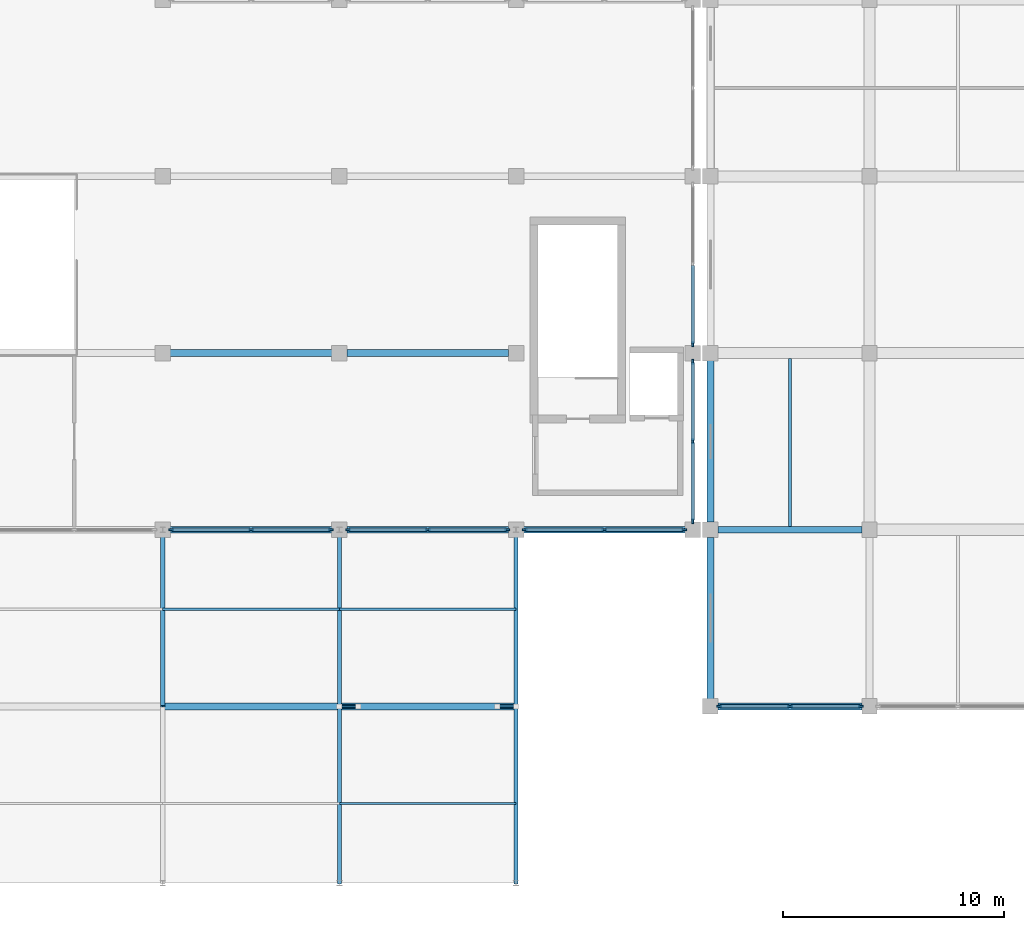
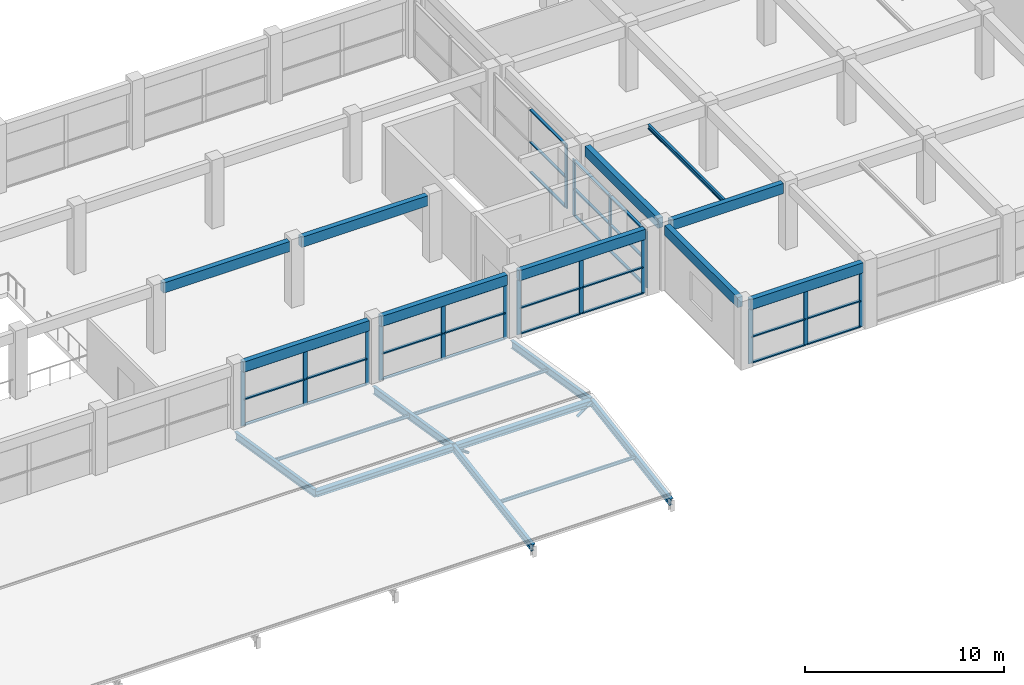
# One storey, part 12 of 67: 56 members, 15 beams, 6 elements without a shape of their own.
"""IFC4 building model written with IfcOpenShell, lengths in metres."""

from ifc_helpers import new_model, si_unit, direction, frame, origin, origin_2d, place, context, subcontext, project, spatial, rectangle, hollow_circle, i_section, extrude, material, material_profile, profile_set, type_object, element, aggregate, save


model = new_model("IFC4")

# Units and contexts
model_context = context("Model", 3, precision=1e-05, world=origin(), true_north=direction((0.0, 1.0)))
body_context = subcontext(model_context, "Body", "Model", "MODEL_VIEW")
ifc_project = project(units=[si_unit("LENGTHUNIT", "METRE"), si_unit("AREAUNIT", "SQUARE_METRE"), si_unit("VOLUMEUNIT", "CUBIC_METRE"), si_unit("PLANEANGLEUNIT", "RADIAN"), si_unit("MASSUNIT", "GRAM", prefix="KILO")], contexts=[model_context])

# Site, building, storey
site_placement = place(None, origin())
site = spatial("IfcSite", under=ifc_project, at=site_placement, CompositionType="ELEMENT")
building_placement = place(site_placement, origin())
building = spatial("IfcBuilding", under=site, at=building_placement, Name="Kenh Van Central Station", CompositionType="ELEMENT")
storey_placement = place(building_placement, frame((0.0, 0.0, 10.800048828125)))
storey = spatial("IfcBuildingStorey", under=building, at=storey_placement, Name="L02", CompositionType="ELEMENT", Elevation=10.800048828125)

# Beams
ifc_material_1 = material(Name="Steel S355", Category="steel")
ifc_material_profile_1 = material_profile(ifc_material_1, i_section(OverallWidth=0.18994140625, OverallDepth=0.449951171875, WebThickness=0.009521484375, FlangeThickness=0.0146484375, FilletRadius=0.02099609375, at=origin_2d()), Name="IPE 450")
ifc_profile_set_1 = profile_set([ifc_material_profile_1], Name="Steel S355")
beam_type_1 = type_object("IfcBeamType", Name="BM-STL-IPE450", PredefinedType="BEAM", material=ifc_profile_set_1)
for number, where, z_axis, x_axis, name in (
    (1, (96.0, 8.0, 0.854736328125), (0.0, 0.987051780814, -0.160401938868), (-1.0, 0.0, 0.0), "L02 roof rafter 019"),
    (2, (104.0, 0.0, -0.4453125), (0.0, 0.987051780814, 0.160401938868), (-1.0, 0.0, 0.0), "L02 roof rafter 020"),
    (3, (104.0, 8.0, 0.854736328125), (0.0, 0.987051780814, -0.160401938868), (-1.0, 0.0, 0.0), "L02 roof rafter 021"),
    (4, (112.0, 0.0, -0.4453125), (0.0, 0.987051780814, 0.160401938868), (-1.0, 0.0, 0.0), "L02 roof rafter 022"),
    (5, (112.0, 8.0, 0.854736328125), (0.0, 0.987051780814, -0.160401938868), (-1.0, 0.0, 0.0), "L02 roof rafter 023"),
):
    element("IfcBeam", number, at=place(storey_placement, frame(where, z_axis=z_axis, x_axis=x_axis)), inside=storey, type_object=beam_type_1, Name=name, PredefinedType="BEAM", context=body_context, shape_type="SweptSolid", body=[
        extrude(i_section(OverallWidth=0.18994140625, OverallDepth=0.449951171875, WebThickness=0.009521484375, FlangeThickness=0.0146484375, FilletRadius=0.02099609375, at=origin_2d()), origin(), (0.0, 0.0, 1.0), 8.10498046875),
    ])

# Curtain wall, members
ifc_material_2 = material(Name="Champagne anodised aluminium", Category="aluminium")
curtain_wall_type_1 = type_object("IfcCurtainWallType", Name="CW-OPER-A", PredefinedType="NOTDEFINED", material=ifc_material_2)
curtain_wall_1_placement = place(storey_placement, origin())
curtain_wall_1 = element("IfcCurtainWall", 6, at=curtain_wall_1_placement, inside=storey, type_object=curtain_wall_type_1, Name="L02 curtain wall 182", PredefinedType="NOTDEFINED")
ifc_material_profile_2 = material_profile(ifc_material_2, rectangle(XDim=0.087890625, YDim=0.239990234375, at=origin_2d()), Name="AL 88x240")
ifc_profile_set_2 = profile_set([ifc_material_profile_2], Name="Champagne anodised aluminium")
member_type_1 = type_object("IfcMemberType", Name="CWM-60x140", PredefinedType="MULLION", material=ifc_profile_set_2)
member_1_placement = place(storey_placement, frame((121.194091796875, 8.0, 0.0), z_axis=(0.0, 0.0, 1.0), x_axis=(0.0, 1.0, 0.0)))
member_1 = element("IfcMember", 7, at=member_1_placement, type_object=member_type_1, Name="CW-07 mullion 1", PredefinedType="MULLION", context=body_context, shape_type="SweptSolid", body=[
    extrude(rectangle(XDim=0.087890625, YDim=0.239990234375, at=origin_2d()), origin(), (0.0, 0.0, 1.0), 3.35986328125),
])
member_2_placement = place(storey_placement, frame((124.39990234375, 8.0, 0.0), z_axis=(0.0, 0.0, 1.0), x_axis=(0.0, 1.0, 0.0)))
member_2 = element("IfcMember", 8, at=member_2_placement, type_object=member_type_1, Name="CW-07 mullion 2", PredefinedType="MULLION", context=body_context, shape_type="SweptSolid", body=[
    extrude(rectangle(XDim=0.087890625, YDim=0.239990234375, at=origin_2d()), origin(), (0.0, 0.0, 1.0), 3.35986328125),
])
member_3_placement = place(storey_placement, frame((127.60595703125, 8.0, 0.0), z_axis=(0.0, 0.0, 1.0), x_axis=(0.0, 1.0, 0.0)))
member_3 = element("IfcMember", 9, at=member_3_placement, type_object=member_type_1, Name="CW-07 mullion 3", PredefinedType="MULLION", context=body_context, shape_type="SweptSolid", body=[
    extrude(rectangle(XDim=0.087890625, YDim=0.239990234375, at=origin_2d()), origin(), (0.0, 0.0, 1.0), 3.35986328125),
])

curtain_wall_type_2 = type_object("IfcCurtainWallType", Name="CW-CONC-A", PredefinedType="NOTDEFINED", material=ifc_material_2)
curtain_wall_2_placement = place(storey_placement, origin())
curtain_wall_2 = element("IfcCurtainWall", 10, at=curtain_wall_2_placement, inside=storey, type_object=curtain_wall_type_2, Name="L02 curtain wall 165", PredefinedType="NOTDEFINED")
ifc_material_profile_3 = material_profile(ifc_material_2, rectangle(XDim=0.08203125, YDim=0.22509765625, at=origin_2d()), Name="AL 82x225")
ifc_profile_set_3 = profile_set([ifc_material_profile_3], Name="Champagne anodised aluminium")
member_type_2 = type_object("IfcMemberType", Name="CWM-70x180", PredefinedType="MULLION", material=ifc_profile_set_3)
member_4_placement = place(storey_placement, frame((96.39111328125, 16.0, 0.0), z_axis=(0.0, 0.0, 1.0), x_axis=(0.0, 1.0, 0.0)))
member_4 = element("IfcMember", 11, at=member_4_placement, type_object=member_type_2, Name="CW-03 mullion 1", PredefinedType="MULLION", context=body_context, shape_type="SweptSolid", body=[
    extrude(rectangle(XDim=0.08203125, YDim=0.22509765625, at=origin_2d()), origin(), (0.0, 0.0, 1.0), 3.35986328125),
])
member_5_placement = place(storey_placement, frame((100.0, 16.0, 0.0), z_axis=(0.0, 0.0, 1.0), x_axis=(0.0, 1.0, 0.0)))
member_5 = element("IfcMember", 12, at=member_5_placement, type_object=member_type_2, Name="CW-03 mullion 2", PredefinedType="MULLION", context=body_context, shape_type="SweptSolid", body=[
    extrude(rectangle(XDim=0.08203125, YDim=0.22509765625, at=origin_2d()), origin(), (0.0, 0.0, 1.0), 3.35986328125),
])
member_6_placement = place(storey_placement, frame((103.60888671875, 16.0, 0.0), z_axis=(0.0, 0.0, 1.0), x_axis=(0.0, 1.0, 0.0)))
member_6 = element("IfcMember", 13, at=member_6_placement, type_object=member_type_2, Name="CW-03 mullion 3", PredefinedType="MULLION", context=body_context, shape_type="SweptSolid", body=[
    extrude(rectangle(XDim=0.08203125, YDim=0.22509765625, at=origin_2d()), origin(), (0.0, 0.0, 1.0), 3.35986328125),
])

curtain_wall_3_placement = place(storey_placement, origin())
curtain_wall_3 = element("IfcCurtainWall", 14, at=curtain_wall_3_placement, inside=storey, type_object=curtain_wall_type_2, Name="L02 curtain wall 166", PredefinedType="NOTDEFINED")
member_7_placement = place(storey_placement, frame((104.39111328125, 16.0, 0.0), z_axis=(0.0, 0.0, 1.0), x_axis=(0.0, 1.0, 0.0)))
member_7 = element("IfcMember", 15, at=member_7_placement, type_object=member_type_2, Name="CW-03 mullion 1", PredefinedType="MULLION", context=body_context, shape_type="SweptSolid", body=[
    extrude(rectangle(XDim=0.08203125, YDim=0.22509765625, at=origin_2d()), origin(), (0.0, 0.0, 1.0), 3.35986328125),
])
member_8_placement = place(storey_placement, frame((108.0, 16.0, 0.0), z_axis=(0.0, 0.0, 1.0), x_axis=(0.0, 1.0, 0.0)))
member_8 = element("IfcMember", 16, at=member_8_placement, type_object=member_type_2, Name="CW-03 mullion 2", PredefinedType="MULLION", context=body_context, shape_type="SweptSolid", body=[
    extrude(rectangle(XDim=0.08203125, YDim=0.22509765625, at=origin_2d()), origin(), (0.0, 0.0, 1.0), 3.35986328125),
])
member_9_placement = place(storey_placement, frame((111.60888671875, 16.0, 0.0), z_axis=(0.0, 0.0, 1.0), x_axis=(0.0, 1.0, 0.0)))
member_9 = element("IfcMember", 17, at=member_9_placement, type_object=member_type_2, Name="CW-03 mullion 3", PredefinedType="MULLION", context=body_context, shape_type="SweptSolid", body=[
    extrude(rectangle(XDim=0.08203125, YDim=0.22509765625, at=origin_2d()), origin(), (0.0, 0.0, 1.0), 3.35986328125),
])

curtain_wall_4_placement = place(storey_placement, origin())
curtain_wall_4 = element("IfcCurtainWall", 18, at=curtain_wall_4_placement, inside=storey, type_object=curtain_wall_type_2, Name="L02 curtain wall 167", PredefinedType="NOTDEFINED")
member_10_placement = place(storey_placement, frame((112.39111328125, 16.0, 0.0), z_axis=(0.0, 0.0, 1.0), x_axis=(0.0, 1.0, 0.0)))
member_10 = element("IfcMember", 19, at=member_10_placement, type_object=member_type_2, Name="CW-03 mullion 1", PredefinedType="MULLION", context=body_context, shape_type="SweptSolid", body=[
    extrude(rectangle(XDim=0.08203125, YDim=0.22509765625, at=origin_2d()), origin(), (0.0, 0.0, 1.0), 3.35986328125),
])
member_11_placement = place(storey_placement, frame((116.0, 16.0, 0.0), z_axis=(0.0, 0.0, 1.0), x_axis=(0.0, 1.0, 0.0)))
member_11 = element("IfcMember", 20, at=member_11_placement, type_object=member_type_2, Name="CW-03 mullion 2", PredefinedType="MULLION", context=body_context, shape_type="SweptSolid", body=[
    extrude(rectangle(XDim=0.08203125, YDim=0.22509765625, at=origin_2d()), origin(), (0.0, 0.0, 1.0), 3.35986328125),
])
member_12_placement = place(storey_placement, frame((119.60888671875, 16.0, 0.0), z_axis=(0.0, 0.0, 1.0), x_axis=(0.0, 1.0, 0.0)))
member_12 = element("IfcMember", 21, at=member_12_placement, type_object=member_type_2, Name="CW-03 mullion 3", PredefinedType="MULLION", context=body_context, shape_type="SweptSolid", body=[
    extrude(rectangle(XDim=0.08203125, YDim=0.22509765625, at=origin_2d()), origin(), (0.0, 0.0, 1.0), 3.35986328125),
])

curtain_wall_type_3 = type_object("IfcCurtainWallType", Name="CW-CONC-B", PredefinedType="NOTDEFINED", material=ifc_material_2)
curtain_wall_5_placement = place(storey_placement, origin())
curtain_wall_5 = element("IfcCurtainWall", 22, at=curtain_wall_5_placement, inside=storey, type_object=curtain_wall_type_3, Name="L02 curtain wall 177", PredefinedType="NOTDEFINED")
member_13_placement = place(storey_placement, frame((120.0, 16.39111328125, 0.0), z_axis=(0.0, 0.0, 1.0), x_axis=(-1.0, 0.0, 0.0)))
member_13 = element("IfcMember", 23, at=member_13_placement, type_object=member_type_2, Name="CW-04 mullion 1", PredefinedType="MULLION", context=body_context, shape_type="SweptSolid", body=[
    extrude(rectangle(XDim=0.08203125, YDim=0.22509765625, at=origin_2d()), origin(), (0.0, 0.0, 1.0), 3.443359375),
])
member_14_placement = place(storey_placement, frame((120.0, 20.0, 0.0), z_axis=(0.0, 0.0, 1.0), x_axis=(-1.0, 0.0, 0.0)))
member_14 = element("IfcMember", 24, at=member_14_placement, type_object=member_type_2, Name="CW-04 mullion 2", PredefinedType="MULLION", context=body_context, shape_type="SweptSolid", body=[
    extrude(rectangle(XDim=0.08203125, YDim=0.22509765625, at=origin_2d()), origin(), (0.0, 0.0, 1.0), 3.443359375),
])
member_15_placement = place(storey_placement, frame((120.0, 23.60888671875, 0.0), z_axis=(0.0, 0.0, 1.0), x_axis=(-1.0, 0.0, 0.0)))
member_15 = element("IfcMember", 25, at=member_15_placement, type_object=member_type_2, Name="CW-04 mullion 3", PredefinedType="MULLION", context=body_context, shape_type="SweptSolid", body=[
    extrude(rectangle(XDim=0.08203125, YDim=0.22509765625, at=origin_2d()), origin(), (0.0, 0.0, 1.0), 3.443359375),
])

# Curtain wall, member
curtain_wall_6_placement = place(storey_placement, origin())
curtain_wall_6 = element("IfcCurtainWall", 26, at=curtain_wall_6_placement, inside=storey, type_object=curtain_wall_type_3, Name="L02 curtain wall 178", PredefinedType="NOTDEFINED")
member_16_placement = place(storey_placement, frame((120.0, 24.39111328125, 0.0), z_axis=(0.0, 0.0, 1.0), x_axis=(-1.0, 0.0, 0.0)))
member_16 = element("IfcMember", 27, at=member_16_placement, type_object=member_type_2, Name="CW-04 mullion 1", PredefinedType="MULLION", context=body_context, shape_type="SweptSolid", body=[
    extrude(rectangle(XDim=0.08203125, YDim=0.22509765625, at=origin_2d()), origin(), (0.0, 0.0, 1.0), 3.8798828125),
])

# Member
ifc_material_profile_4 = material_profile(ifc_material_2, rectangle(XDim=0.155029296875, YDim=0.072021484375, at=origin_2d()), Name="AL 155x72")
ifc_profile_set_4 = profile_set([ifc_material_profile_4], Name="Champagne anodised aluminium")
member_type_3 = type_object("IfcMemberType", Name="CWT-120x60", PredefinedType="USERDEFINED", material=ifc_profile_set_4)
member_17_placement = place(storey_placement, frame((96.431884765625, 16.0, 0.035888671875), z_axis=(1.0, 0.0, 0.0), x_axis=(0.0, 1.0, 0.0)))
member_17 = element("IfcMember", 28, at=member_17_placement, type_object=member_type_3, Name="CW-03 transom 1.1", ObjectType="TRANSOM", PredefinedType="USERDEFINED", context=body_context, shape_type="SweptSolid", body=[
    extrude(rectangle(XDim=0.155029296875, YDim=0.072021484375, at=origin_2d()), origin(), (0.0, 0.0, 1.0), 3.527099609375),
])

member_18_placement = place(storey_placement, frame((96.431884765625, 16.0, 1.61279296875), z_axis=(1.0, 0.0, 0.0), x_axis=(0.0, 1.0, 0.0)))
member_18 = element("IfcMember", 29, at=member_18_placement, type_object=member_type_3, Name="CW-03 transom 1.2", ObjectType="TRANSOM", PredefinedType="USERDEFINED", context=body_context, shape_type="SweptSolid", body=[
    extrude(rectangle(XDim=0.155029296875, YDim=0.072021484375, at=origin_2d()), origin(), (0.0, 0.0, 1.0), 3.527099609375),
])

member_19_placement = place(storey_placement, frame((96.431884765625, 16.0, 3.323974609375), z_axis=(1.0, 0.0, 0.0), x_axis=(0.0, 1.0, 0.0)))
member_19 = element("IfcMember", 30, at=member_19_placement, type_object=member_type_3, Name="CW-03 transom 1.3", ObjectType="TRANSOM", PredefinedType="USERDEFINED", context=body_context, shape_type="SweptSolid", body=[
    extrude(rectangle(XDim=0.155029296875, YDim=0.072021484375, at=origin_2d()), origin(), (0.0, 0.0, 1.0), 3.527099609375),
])

member_20_placement = place(storey_placement, frame((100.041015625, 16.0, 0.035888671875), z_axis=(1.0, 0.0, 0.0), x_axis=(0.0, 1.0, 0.0)))
member_20 = element("IfcMember", 31, at=member_20_placement, type_object=member_type_3, Name="CW-03 transom 2.1", ObjectType="TRANSOM", PredefinedType="USERDEFINED", context=body_context, shape_type="SweptSolid", body=[
    extrude(rectangle(XDim=0.155029296875, YDim=0.072021484375, at=origin_2d()), origin(), (0.0, 0.0, 1.0), 3.527099609375),
])

member_21_placement = place(storey_placement, frame((100.041015625, 16.0, 1.61279296875), z_axis=(1.0, 0.0, 0.0), x_axis=(0.0, 1.0, 0.0)))
member_21 = element("IfcMember", 32, at=member_21_placement, type_object=member_type_3, Name="CW-03 transom 2.2", ObjectType="TRANSOM", PredefinedType="USERDEFINED", context=body_context, shape_type="SweptSolid", body=[
    extrude(rectangle(XDim=0.155029296875, YDim=0.072021484375, at=origin_2d()), origin(), (0.0, 0.0, 1.0), 3.527099609375),
])

member_22_placement = place(storey_placement, frame((100.041015625, 16.0, 3.323974609375), z_axis=(1.0, 0.0, 0.0), x_axis=(0.0, 1.0, 0.0)))
member_22 = element("IfcMember", 33, at=member_22_placement, type_object=member_type_3, Name="CW-03 transom 2.3", ObjectType="TRANSOM", PredefinedType="USERDEFINED", context=body_context, shape_type="SweptSolid", body=[
    extrude(rectangle(XDim=0.155029296875, YDim=0.072021484375, at=origin_2d()), origin(), (0.0, 0.0, 1.0), 3.527099609375),
])

aggregate(curtain_wall_2, [member_4, member_5, member_6, member_17, member_18, member_19, member_20, member_21, member_22])

member_23_placement = place(storey_placement, frame((104.431884765625, 16.0, 0.035888671875), z_axis=(1.0, 0.0, 0.0), x_axis=(0.0, 1.0, 0.0)))
member_23 = element("IfcMember", 34, at=member_23_placement, type_object=member_type_3, Name="CW-03 transom 1.1", ObjectType="TRANSOM", PredefinedType="USERDEFINED", context=body_context, shape_type="SweptSolid", body=[
    extrude(rectangle(XDim=0.155029296875, YDim=0.072021484375, at=origin_2d()), origin(), (0.0, 0.0, 1.0), 3.527099609375),
])

member_24_placement = place(storey_placement, frame((104.431884765625, 16.0, 1.61279296875), z_axis=(1.0, 0.0, 0.0), x_axis=(0.0, 1.0, 0.0)))
member_24 = element("IfcMember", 35, at=member_24_placement, type_object=member_type_3, Name="CW-03 transom 1.2", ObjectType="TRANSOM", PredefinedType="USERDEFINED", context=body_context, shape_type="SweptSolid", body=[
    extrude(rectangle(XDim=0.155029296875, YDim=0.072021484375, at=origin_2d()), origin(), (0.0, 0.0, 1.0), 3.527099609375),
])

member_25_placement = place(storey_placement, frame((104.431884765625, 16.0, 3.323974609375), z_axis=(1.0, 0.0, 0.0), x_axis=(0.0, 1.0, 0.0)))
member_25 = element("IfcMember", 36, at=member_25_placement, type_object=member_type_3, Name="CW-03 transom 1.3", ObjectType="TRANSOM", PredefinedType="USERDEFINED", context=body_context, shape_type="SweptSolid", body=[
    extrude(rectangle(XDim=0.155029296875, YDim=0.072021484375, at=origin_2d()), origin(), (0.0, 0.0, 1.0), 3.527099609375),
])

member_26_placement = place(storey_placement, frame((108.041015625, 16.0, 0.035888671875), z_axis=(1.0, 0.0, 0.0), x_axis=(0.0, 1.0, 0.0)))
member_26 = element("IfcMember", 37, at=member_26_placement, type_object=member_type_3, Name="CW-03 transom 2.1", ObjectType="TRANSOM", PredefinedType="USERDEFINED", context=body_context, shape_type="SweptSolid", body=[
    extrude(rectangle(XDim=0.155029296875, YDim=0.072021484375, at=origin_2d()), origin(), (0.0, 0.0, 1.0), 3.527099609375),
])

member_27_placement = place(storey_placement, frame((108.041015625, 16.0, 1.61279296875), z_axis=(1.0, 0.0, 0.0), x_axis=(0.0, 1.0, 0.0)))
member_27 = element("IfcMember", 38, at=member_27_placement, type_object=member_type_3, Name="CW-03 transom 2.2", ObjectType="TRANSOM", PredefinedType="USERDEFINED", context=body_context, shape_type="SweptSolid", body=[
    extrude(rectangle(XDim=0.155029296875, YDim=0.072021484375, at=origin_2d()), origin(), (0.0, 0.0, 1.0), 3.527099609375),
])

member_28_placement = place(storey_placement, frame((108.041015625, 16.0, 3.323974609375), z_axis=(1.0, 0.0, 0.0), x_axis=(0.0, 1.0, 0.0)))
member_28 = element("IfcMember", 39, at=member_28_placement, type_object=member_type_3, Name="CW-03 transom 2.3", ObjectType="TRANSOM", PredefinedType="USERDEFINED", context=body_context, shape_type="SweptSolid", body=[
    extrude(rectangle(XDim=0.155029296875, YDim=0.072021484375, at=origin_2d()), origin(), (0.0, 0.0, 1.0), 3.527099609375),
])

aggregate(curtain_wall_3, [member_7, member_8, member_9, member_23, member_24, member_25, member_26, member_27, member_28])

member_29_placement = place(storey_placement, frame((112.431884765625, 16.0, 0.035888671875), z_axis=(1.0, 0.0, 0.0), x_axis=(0.0, 1.0, 0.0)))
member_29 = element("IfcMember", 40, at=member_29_placement, type_object=member_type_3, Name="CW-03 transom 1.1", ObjectType="TRANSOM", PredefinedType="USERDEFINED", context=body_context, shape_type="SweptSolid", body=[
    extrude(rectangle(XDim=0.155029296875, YDim=0.072021484375, at=origin_2d()), origin(), (0.0, 0.0, 1.0), 3.527099609375),
])

member_30_placement = place(storey_placement, frame((112.431884765625, 16.0, 1.61279296875), z_axis=(1.0, 0.0, 0.0), x_axis=(0.0, 1.0, 0.0)))
member_30 = element("IfcMember", 41, at=member_30_placement, type_object=member_type_3, Name="CW-03 transom 1.2", ObjectType="TRANSOM", PredefinedType="USERDEFINED", context=body_context, shape_type="SweptSolid", body=[
    extrude(rectangle(XDim=0.155029296875, YDim=0.072021484375, at=origin_2d()), origin(), (0.0, 0.0, 1.0), 3.527099609375),
])

member_31_placement = place(storey_placement, frame((112.431884765625, 16.0, 3.323974609375), z_axis=(1.0, 0.0, 0.0), x_axis=(0.0, 1.0, 0.0)))
member_31 = element("IfcMember", 42, at=member_31_placement, type_object=member_type_3, Name="CW-03 transom 1.3", ObjectType="TRANSOM", PredefinedType="USERDEFINED", context=body_context, shape_type="SweptSolid", body=[
    extrude(rectangle(XDim=0.155029296875, YDim=0.072021484375, at=origin_2d()), origin(), (0.0, 0.0, 1.0), 3.527099609375),
])

member_32_placement = place(storey_placement, frame((116.041015625, 16.0, 0.035888671875), z_axis=(1.0, 0.0, 0.0), x_axis=(0.0, 1.0, 0.0)))
member_32 = element("IfcMember", 43, at=member_32_placement, type_object=member_type_3, Name="CW-03 transom 2.1", ObjectType="TRANSOM", PredefinedType="USERDEFINED", context=body_context, shape_type="SweptSolid", body=[
    extrude(rectangle(XDim=0.155029296875, YDim=0.072021484375, at=origin_2d()), origin(), (0.0, 0.0, 1.0), 3.527099609375),
])

member_33_placement = place(storey_placement, frame((116.041015625, 16.0, 1.61279296875), z_axis=(1.0, 0.0, 0.0), x_axis=(0.0, 1.0, 0.0)))
member_33 = element("IfcMember", 44, at=member_33_placement, type_object=member_type_3, Name="CW-03 transom 2.2", ObjectType="TRANSOM", PredefinedType="USERDEFINED", context=body_context, shape_type="SweptSolid", body=[
    extrude(rectangle(XDim=0.155029296875, YDim=0.072021484375, at=origin_2d()), origin(), (0.0, 0.0, 1.0), 3.527099609375),
])

member_34_placement = place(storey_placement, frame((116.041015625, 16.0, 3.323974609375), z_axis=(1.0, 0.0, 0.0), x_axis=(0.0, 1.0, 0.0)))
member_34 = element("IfcMember", 45, at=member_34_placement, type_object=member_type_3, Name="CW-03 transom 2.3", ObjectType="TRANSOM", PredefinedType="USERDEFINED", context=body_context, shape_type="SweptSolid", body=[
    extrude(rectangle(XDim=0.155029296875, YDim=0.072021484375, at=origin_2d()), origin(), (0.0, 0.0, 1.0), 3.527099609375),
])

aggregate(curtain_wall_4, [member_10, member_11, member_12, member_29, member_30, member_31, member_32, member_33, member_34])

member_35_placement = place(storey_placement, frame((120.0, 16.431884765625, 0.035888671875), z_axis=(0.0, 1.0, 0.0), x_axis=(-1.0, 0.0, 0.0)))
member_35 = element("IfcMember", 46, at=member_35_placement, type_object=member_type_3, Name="CW-04 transom 1.1", ObjectType="TRANSOM", PredefinedType="USERDEFINED", context=body_context, shape_type="SweptSolid", body=[
    extrude(rectangle(XDim=0.155029296875, YDim=0.072021484375, at=origin_2d()), origin(), (0.0, 0.0, 1.0), 3.527099609375),
])

member_36_placement = place(storey_placement, frame((120.0, 16.431884765625, 1.65283203125), z_axis=(0.0, 1.0, 0.0), x_axis=(-1.0, 0.0, 0.0)))
member_36 = element("IfcMember", 47, at=member_36_placement, type_object=member_type_3, Name="CW-04 transom 1.2", ObjectType="TRANSOM", PredefinedType="USERDEFINED", context=body_context, shape_type="SweptSolid", body=[
    extrude(rectangle(XDim=0.155029296875, YDim=0.072021484375, at=origin_2d()), origin(), (0.0, 0.0, 1.0), 3.527099609375),
])

member_37_placement = place(storey_placement, frame((120.0, 16.431884765625, 3.4072265625), z_axis=(0.0, 1.0, 0.0), x_axis=(-1.0, 0.0, 0.0)))
member_37 = element("IfcMember", 48, at=member_37_placement, type_object=member_type_3, Name="CW-04 transom 1.3", ObjectType="TRANSOM", PredefinedType="USERDEFINED", context=body_context, shape_type="SweptSolid", body=[
    extrude(rectangle(XDim=0.155029296875, YDim=0.072021484375, at=origin_2d()), origin(), (0.0, 0.0, 1.0), 3.527099609375),
])

member_38_placement = place(storey_placement, frame((120.0, 20.041015625, 0.035888671875), z_axis=(0.0, 1.0, 0.0), x_axis=(-1.0, 0.0, 0.0)))
member_38 = element("IfcMember", 49, at=member_38_placement, type_object=member_type_3, Name="CW-04 transom 2.1", ObjectType="TRANSOM", PredefinedType="USERDEFINED", context=body_context, shape_type="SweptSolid", body=[
    extrude(rectangle(XDim=0.155029296875, YDim=0.072021484375, at=origin_2d()), origin(), (0.0, 0.0, 1.0), 3.527099609375),
])

member_39_placement = place(storey_placement, frame((120.0, 20.041015625, 1.65283203125), z_axis=(0.0, 1.0, 0.0), x_axis=(-1.0, 0.0, 0.0)))
member_39 = element("IfcMember", 50, at=member_39_placement, type_object=member_type_3, Name="CW-04 transom 2.2", ObjectType="TRANSOM", PredefinedType="USERDEFINED", context=body_context, shape_type="SweptSolid", body=[
    extrude(rectangle(XDim=0.155029296875, YDim=0.072021484375, at=origin_2d()), origin(), (0.0, 0.0, 1.0), 3.527099609375),
])

member_40_placement = place(storey_placement, frame((120.0, 20.041015625, 3.4072265625), z_axis=(0.0, 1.0, 0.0), x_axis=(-1.0, 0.0, 0.0)))
member_40 = element("IfcMember", 51, at=member_40_placement, type_object=member_type_3, Name="CW-04 transom 2.3", ObjectType="TRANSOM", PredefinedType="USERDEFINED", context=body_context, shape_type="SweptSolid", body=[
    extrude(rectangle(XDim=0.155029296875, YDim=0.072021484375, at=origin_2d()), origin(), (0.0, 0.0, 1.0), 3.527099609375),
])

aggregate(curtain_wall_5, [member_13, member_14, member_15, member_35, member_36, member_37, member_38, member_39, member_40])

member_41_placement = place(storey_placement, frame((120.0, 24.431884765625, 0.035888671875), z_axis=(0.0, 1.0, 0.0), x_axis=(-1.0, 0.0, 0.0)))
member_41 = element("IfcMember", 52, at=member_41_placement, type_object=member_type_3, Name="CW-04 transom 1.1", ObjectType="TRANSOM", PredefinedType="USERDEFINED", context=body_context, shape_type="SweptSolid", body=[
    extrude(rectangle(XDim=0.155029296875, YDim=0.072021484375, at=origin_2d()), origin(), (0.0, 0.0, 1.0), 3.527099609375),
])

member_42_placement = place(storey_placement, frame((120.0, 24.431884765625, 1.8623046875), z_axis=(0.0, 1.0, 0.0), x_axis=(-1.0, 0.0, 0.0)))
member_42 = element("IfcMember", 53, at=member_42_placement, type_object=member_type_3, Name="CW-04 transom 1.2", ObjectType="TRANSOM", PredefinedType="USERDEFINED", context=body_context, shape_type="SweptSolid", body=[
    extrude(rectangle(XDim=0.155029296875, YDim=0.072021484375, at=origin_2d()), origin(), (0.0, 0.0, 1.0), 3.527099609375),
])

member_43_placement = place(storey_placement, frame((120.0, 24.431884765625, 3.843994140625), z_axis=(0.0, 1.0, 0.0), x_axis=(-1.0, 0.0, 0.0)))
member_43 = element("IfcMember", 54, at=member_43_placement, type_object=member_type_3, Name="CW-04 transom 1.3", ObjectType="TRANSOM", PredefinedType="USERDEFINED", context=body_context, shape_type="SweptSolid", body=[
    extrude(rectangle(XDim=0.155029296875, YDim=0.072021484375, at=origin_2d()), origin(), (0.0, 0.0, 1.0), 3.527099609375),
])

aggregate(curtain_wall_6, [member_16, member_41, member_42, member_43])

member_44_placement = place(storey_placement, frame((121.238037109375, 8.0, 0.035888671875), z_axis=(1.0, 0.0, 0.0), x_axis=(0.0, 1.0, 0.0)))
member_44 = element("IfcMember", 55, at=member_44_placement, type_object=member_type_3, Name="CW-07 transom 1.1", ObjectType="TRANSOM", PredefinedType="USERDEFINED", context=body_context, shape_type="SweptSolid", body=[
    extrude(rectangle(XDim=0.155029296875, YDim=0.072021484375, at=origin_2d()), origin(), (0.0, 0.0, 1.0), 3.117919921875),
])

member_45_placement = place(storey_placement, frame((121.238037109375, 8.0, 1.61279296875), z_axis=(1.0, 0.0, 0.0), x_axis=(0.0, 1.0, 0.0)))
member_45 = element("IfcMember", 56, at=member_45_placement, type_object=member_type_3, Name="CW-07 transom 1.2", ObjectType="TRANSOM", PredefinedType="USERDEFINED", context=body_context, shape_type="SweptSolid", body=[
    extrude(rectangle(XDim=0.155029296875, YDim=0.072021484375, at=origin_2d()), origin(), (0.0, 0.0, 1.0), 3.117919921875),
])

member_46_placement = place(storey_placement, frame((121.238037109375, 8.0, 3.323974609375), z_axis=(1.0, 0.0, 0.0), x_axis=(0.0, 1.0, 0.0)))
member_46 = element("IfcMember", 57, at=member_46_placement, type_object=member_type_3, Name="CW-07 transom 1.3", ObjectType="TRANSOM", PredefinedType="USERDEFINED", context=body_context, shape_type="SweptSolid", body=[
    extrude(rectangle(XDim=0.155029296875, YDim=0.072021484375, at=origin_2d()), origin(), (0.0, 0.0, 1.0), 3.117919921875),
])

member_47_placement = place(storey_placement, frame((124.444091796875, 8.0, 0.035888671875), z_axis=(1.0, 0.0, 0.0), x_axis=(0.0, 1.0, 0.0)))
member_47 = element("IfcMember", 58, at=member_47_placement, type_object=member_type_3, Name="CW-07 transom 2.1", ObjectType="TRANSOM", PredefinedType="USERDEFINED", context=body_context, shape_type="SweptSolid", body=[
    extrude(rectangle(XDim=0.155029296875, YDim=0.072021484375, at=origin_2d()), origin(), (0.0, 0.0, 1.0), 3.117919921875),
])

member_48_placement = place(storey_placement, frame((124.444091796875, 8.0, 1.61279296875), z_axis=(1.0, 0.0, 0.0), x_axis=(0.0, 1.0, 0.0)))
member_48 = element("IfcMember", 59, at=member_48_placement, type_object=member_type_3, Name="CW-07 transom 2.2", ObjectType="TRANSOM", PredefinedType="USERDEFINED", context=body_context, shape_type="SweptSolid", body=[
    extrude(rectangle(XDim=0.155029296875, YDim=0.072021484375, at=origin_2d()), origin(), (0.0, 0.0, 1.0), 3.117919921875),
])

member_49_placement = place(storey_placement, frame((124.444091796875, 8.0, 3.323974609375), z_axis=(1.0, 0.0, 0.0), x_axis=(0.0, 1.0, 0.0)))
member_49 = element("IfcMember", 60, at=member_49_placement, type_object=member_type_3, Name="CW-07 transom 2.3", ObjectType="TRANSOM", PredefinedType="USERDEFINED", context=body_context, shape_type="SweptSolid", body=[
    extrude(rectangle(XDim=0.155029296875, YDim=0.072021484375, at=origin_2d()), origin(), (0.0, 0.0, 1.0), 3.117919921875),
])

aggregate(curtain_wall_1, [member_1, member_2, member_3, member_44, member_45, member_46, member_47, member_48, member_49])

# Beam
ifc_material_profile_5 = material_profile(ifc_material_1, i_section(OverallWidth=0.135009765625, OverallDepth=0.27001953125, WebThickness=0.006591796875, FlangeThickness=0.01025390625, FilletRadius=0.014892578125, at=origin_2d()), Name="IPE 270")
ifc_profile_set_5 = profile_set([ifc_material_profile_5], Name="Steel S355")
beam_type_2 = type_object("IfcBeamType", Name="JST-STL-IPE270", PredefinedType="JOIST", material=ifc_profile_set_5)
beam_1_placement = place(storey_placement, frame((124.39990234375, 16.14990234375, 3.849853515625), z_axis=(0.0, 1.0, 0.0), x_axis=(-1.0, 0.0, 0.0)))
element("IfcBeam", 61, at=beam_1_placement, inside=storey, type_object=beam_type_2, Name="L02 floor joist 1091", PredefinedType="JOIST", context=body_context, shape_type="SweptSolid", body=[
    extrude(i_section(OverallWidth=0.135009765625, OverallDepth=0.27001953125, WebThickness=0.006591796875, FlangeThickness=0.01025390625, FilletRadius=0.014892578125, at=origin_2d()), origin(), (0.0, 0.0, 1.0), 7.60009765625),
])

# Members
ifc_material_profile_6 = material_profile(ifc_material_1, i_section(OverallWidth=0.10009765625, OverallDepth=0.199951171875, WebThickness=0.005615234375, FlangeThickness=0.008544921875, FilletRadius=0.011962890625, at=origin_2d()), Name="IPE 200")
ifc_profile_set_6 = profile_set([ifc_material_profile_6], Name="Steel S355")
member_type_4 = type_object("IfcMemberType", Name="MEM-PUR-IPE200", PredefinedType="PURLIN", material=ifc_profile_set_6)
for number, where, z_axis, x_axis, name in (
    (62, (104.0, 3.60009765625, 0.1396484375), (1.0, 0.0, 0.0), (0.0, 1.0, 0.0), "L02 roof purlin 007"),
    (63, (96.0, 12.39990234375, 0.1396484375), (1.0, 0.0, 0.0), (0.0, 1.0, 0.0), "L02 roof purlin 013"),
    (64, (104.0, 12.39990234375, 0.1396484375), (1.0, 0.0, 0.0), (0.0, 1.0, 0.0), "L02 roof purlin 014"),
):
    element("IfcMember", number, at=place(storey_placement, frame(where, z_axis=z_axis, x_axis=x_axis)), inside=storey, type_object=member_type_4, Name=name, PredefinedType="PURLIN", context=body_context, shape_type="SweptSolid", body=[
        extrude(i_section(OverallWidth=0.10009765625, OverallDepth=0.199951171875, WebThickness=0.005615234375, FlangeThickness=0.008544921875, FilletRadius=0.011962890625, at=origin_2d()), origin(), (0.0, 0.0, 1.0), 8.0),
    ])
ifc_material_profile_7 = material_profile(ifc_material_1, hollow_circle(Radius=0.084228515625, WallThickness=0.008056640625, at=origin_2d()), Name="CHS 168.3x8")
ifc_profile_set_7 = profile_set([ifc_material_profile_7], Name="Steel S355")
member_type_5 = type_object("IfcMemberType", Name="MEM-ROOF-BRC168", PredefinedType="BRACE", material=ifc_profile_set_7)
for number, where, z_axis, x_axis, name in (
    (65, (104.85009765625, 8.0, 0.23486328125), (-0.808002927302, 0.0, 0.589178469966), (0.0, -1.0, 0.0), "L02 roof truss web diagonal 005"),
    (66, (111.14990234375, 8.0, 0.23486328125), (0.808002927302, 0.0, 0.589178469966), (0.0, 1.0, 0.0), "L02 roof truss web diagonal 006"),
):
    element("IfcMember", number, at=place(storey_placement, frame(where, z_axis=z_axis, x_axis=x_axis)), inside=storey, type_object=member_type_5, Name=name, PredefinedType="BRACE", context=body_context, shape_type="SweptSolid", body=[
        extrude(hollow_circle(Radius=0.084228515625, WallThickness=0.008056640625, at=origin_2d()), origin(), (0.0, 0.0, 1.0), 1.052001953125),
    ])
ifc_material_profile_8 = material_profile(ifc_material_1, i_section(OverallWidth=0.300048828125, OverallDepth=0.35009765625, WebThickness=0.010009765625, FlangeThickness=0.017578125, FilletRadius=0.027099609375, at=origin_2d()), Name="HEA 360")
ifc_profile_set_8 = profile_set([ifc_material_profile_8], Name="Steel S355")
member_type_6 = type_object("IfcMemberType", Name="MEM-ROOF-HEA360", PredefinedType="CHORD", material=ifc_profile_set_8)
for number, where, z_axis, x_axis, name in (
    (67, (96.0, 8.0, 0.854736328125), (1.0, 0.0, 0.0), (0.0, 1.0, 0.0), "L02 roof ridge chord 006"),
    (68, (104.0, 8.0, 0.854736328125), (1.0, 0.0, 0.0), (0.0, 1.0, 0.0), "L02 roof ridge chord 007"),
):
    element("IfcMember", number, at=place(storey_placement, frame(where, z_axis=z_axis, x_axis=x_axis)), inside=storey, type_object=member_type_6, Name=name, PredefinedType="CHORD", context=body_context, shape_type="SweptSolid", body=[
        extrude(i_section(OverallWidth=0.300048828125, OverallDepth=0.35009765625, WebThickness=0.010009765625, FlangeThickness=0.017578125, FilletRadius=0.027099609375, at=origin_2d()), origin(), (0.0, 0.0, 1.0), 8.0),
    ])

# Beams
ifc_material_3 = material(Name="Concrete C35/45", Category="concrete")
ifc_material_profile_9 = material_profile(ifc_material_3, rectangle(XDim=0.300048828125, YDim=0.6201171875, at=origin_2d()), Name="RC 300x620")
ifc_profile_set_9 = profile_set([ifc_material_profile_9], Name="Concrete C35/45")
beam_type_3 = type_object("IfcBeamType", Name="SPD-RC-300x620", PredefinedType="SPANDREL", material=ifc_profile_set_9)
beam_2_placement = place(storey_placement, frame((121.139892578125, 8.0, 3.669921875), z_axis=(1.0, 0.0, 0.0), x_axis=(0.0, 1.0, 0.0)))
element("IfcBeam", 69, at=beam_2_placement, inside=storey, type_object=beam_type_3, Name="L02 beam 0914", PredefinedType="SPANDREL", context=body_context, shape_type="SweptSolid", body=[
    extrude(rectangle(XDim=0.300048828125, YDim=0.6201171875, at=origin_2d()), origin(), (0.0, 0.0, 1.0), 6.52001953125),
])
for number, where, z_axis, x_axis, name in (
    (70, (96.340087890625, 16.0, 3.669921875), (1.0, 0.0, 0.0), (0.0, 1.0, 0.0), "L02 beam 0926"),
    (71, (104.340087890625, 16.0, 3.669921875), (1.0, 0.0, 0.0), (0.0, 1.0, 0.0), "L02 beam 0927"),
    (72, (112.340087890625, 16.0, 3.669921875), (1.0, 0.0, 0.0), (0.0, 1.0, 0.0), "L02 beam 0928"),
):
    element("IfcBeam", number, at=place(storey_placement, frame(where, z_axis=z_axis, x_axis=x_axis)), inside=storey, type_object=beam_type_3, Name=name, PredefinedType="SPANDREL", context=body_context, shape_type="SweptSolid", body=[
        extrude(rectangle(XDim=0.300048828125, YDim=0.6201171875, at=origin_2d()), origin(), (0.0, 0.0, 1.0), 7.31982421875),
    ])
beam_3_placement = place(storey_placement, frame((121.139892578125, 16.0, 3.675048828125), z_axis=(1.0, 0.0, 0.0), x_axis=(0.0, 1.0, 0.0)))
element("IfcBeam", 73, at=beam_3_placement, inside=storey, type_object=beam_type_3, Name="L02 beam 0929", PredefinedType="SPANDREL", context=body_context, shape_type="SweptSolid", body=[
    extrude(rectangle(XDim=0.300048828125, YDim=0.6201171875, at=origin_2d()), origin(), (0.0, 0.0, 1.0), 6.52001953125),
])
for number, where, z_axis, x_axis, name in (
    (74, (96.340087890625, 24.0, 3.669921875), (1.0, 0.0, 0.0), (0.0, 1.0, 0.0), "L02 beam 0940"),
    (75, (104.340087890625, 24.0, 3.669921875), (1.0, 0.0, 0.0), (0.0, 1.0, 0.0), "L02 beam 0941"),
    (76, (120.800048828125, 8.340087890625, 3.669921875), (0.0, 1.0, 0.0), (-1.0, 0.0, 0.0), "L02 beam 1030"),
    (77, (120.800048828125, 16.340087890625, 3.675048828125), (0.0, 1.0, 0.0), (-1.0, 0.0, 0.0), "L02 beam 1031"),
):
    element("IfcBeam", number, at=place(storey_placement, frame(where, z_axis=z_axis, x_axis=x_axis)), inside=storey, type_object=beam_type_3, Name=name, PredefinedType="SPANDREL", context=body_context, shape_type="SweptSolid", body=[
        extrude(rectangle(XDim=0.300048828125, YDim=0.6201171875, at=origin_2d()), origin(), (0.0, 0.0, 1.0), 7.31982421875),
    ])

save(model, "model.ifc")
